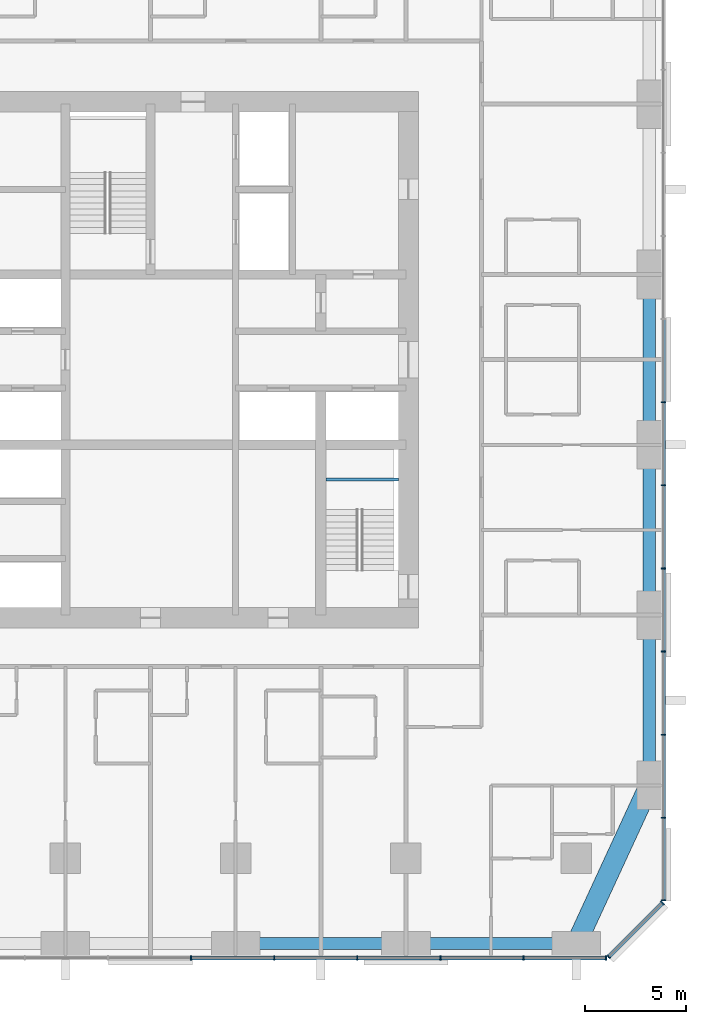
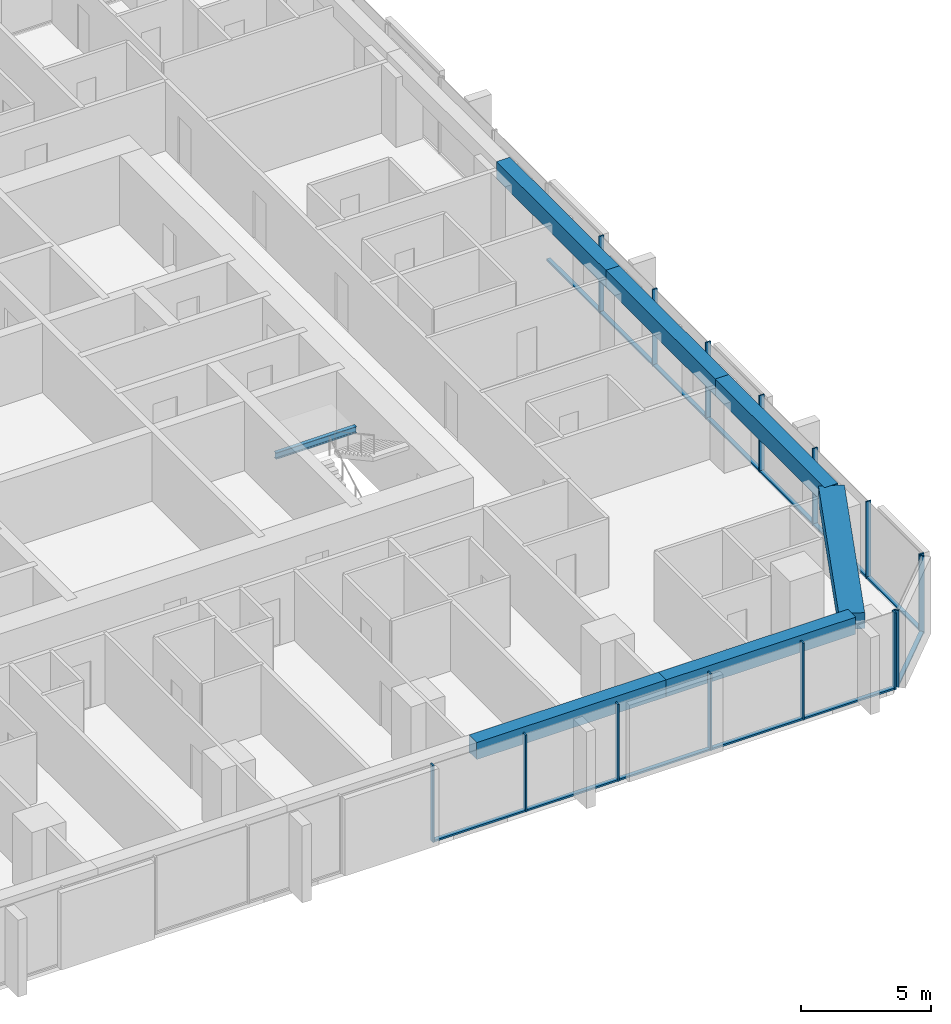
# One storey, part 4 of 14: 28 members, 7 beams, 3 elements without a shape of their own.
"""IFC4 building model written with IfcOpenShell, lengths in metres."""

from ifc_helpers import new_model, si_unit, direction, frame, origin, origin_2d, place, context, subcontext, project, spatial, rectangle, i_section, extrude, material, material_profile, profile_set, type_object, element, aggregate, save


model = new_model("IFC4")

# Units and contexts
model_context = context("Model", 3, precision=1e-05, world=origin(), true_north=direction((0.0, 1.0)))
body_context = subcontext(model_context, "Body", "Model", "MODEL_VIEW")
ifc_project = project(units=[si_unit("LENGTHUNIT", "METRE"), si_unit("AREAUNIT", "SQUARE_METRE"), si_unit("VOLUMEUNIT", "CUBIC_METRE"), si_unit("PLANEANGLEUNIT", "RADIAN"), si_unit("MASSUNIT", "GRAM", prefix="KILO")], contexts=[model_context])

# Site, building, storey
site_placement = place(None, origin())
site = spatial("IfcSite", under=ifc_project, at=site_placement, CompositionType="ELEMENT")
building_placement = place(site_placement, origin())
building = spatial("IfcBuilding", under=site, at=building_placement, Name="Dunama Terrace Hotel", CompositionType="ELEMENT")
storey_placement = place(building_placement, frame((0.0, 0.0, 140.39990234375)))
storey = spatial("IfcBuildingStorey", under=building, at=storey_placement, Name="L36", CompositionType="ELEMENT", Elevation=140.39990234375)

# Curtain wall, members
ifc_material_1 = material(Name="Aluminium curtain wall system", Category="aluminium")
curtain_wall_type = type_object("IfcCurtainWallType", Name="Unitised fritted glass wall CW-B", PredefinedType="NOTDEFINED", material=ifc_material_1)
curtain_wall_1_placement = place(storey_placement, origin())
curtain_wall_1 = element("IfcCurtainWall", 1, at=curtain_wall_1_placement, inside=storey, type_object=curtain_wall_type, Name="Unitised fritted glass wall CW-B L36", PredefinedType="NOTDEFINED")
ifc_material_2 = material(Name="Aluminium mullion", Category="aluminium")
ifc_material_profile_1 = material_profile(ifc_material_2, rectangle(XDim=0.06494140625, YDim=0.219970703125, at=origin_2d()), Name="CWB MULLION 65X220")
ifc_profile_set_1 = profile_set([ifc_material_profile_1], Name="Aluminium mullion")
member_type_1 = type_object("IfcMemberType", Name="CWB mullion 65x220", PredefinedType="MULLION", material=ifc_profile_set_1)
member_1_placement = place(storey_placement, frame((31.39990234375, -0.110107421875, 0.0), z_axis=(0.0, 0.0, 1.0), x_axis=(1.0, 0.0, 0.0)))
member_1 = element("IfcMember", 2, at=member_1_placement, type_object=member_type_1, Name="CWB mullion", PredefinedType="MULLION", context=body_context, shape_type="SweptSolid", body=[
    extrude(rectangle(XDim=0.06494140625, YDim=0.219970703125, at=origin_2d()), origin(), (0.0, 0.0, 1.0), 3.60009765625),
])
member_2_placement = place(storey_placement, frame((35.5, -0.110107421875, 0.0), z_axis=(0.0, 0.0, 1.0), x_axis=(1.0, 0.0, 0.0)))
member_2 = element("IfcMember", 3, at=member_2_placement, type_object=member_type_1, Name="CWB mullion", PredefinedType="MULLION", context=body_context, shape_type="SweptSolid", body=[
    extrude(rectangle(XDim=0.06494140625, YDim=0.219970703125, at=origin_2d()), origin(), (0.0, 0.0, 1.0), 3.60009765625),
])
member_3_placement = place(storey_placement, frame((39.60009765625, -0.110107421875, 0.0), z_axis=(0.0, 0.0, 1.0), x_axis=(1.0, 0.0, 0.0)))
member_3 = element("IfcMember", 4, at=member_3_placement, type_object=member_type_1, Name="CWB mullion", PredefinedType="MULLION", context=body_context, shape_type="SweptSolid", body=[
    extrude(rectangle(XDim=0.06494140625, YDim=0.219970703125, at=origin_2d()), origin(), (0.0, 0.0, 1.0), 3.60009765625),
])
member_4_placement = place(storey_placement, frame((43.699951171875, -0.110107421875, 0.0), z_axis=(0.0, 0.0, 1.0), x_axis=(1.0, 0.0, 0.0)))
member_4 = element("IfcMember", 5, at=member_4_placement, type_object=member_type_1, Name="CWB mullion", PredefinedType="MULLION", context=body_context, shape_type="SweptSolid", body=[
    extrude(rectangle(XDim=0.06494140625, YDim=0.219970703125, at=origin_2d()), origin(), (0.0, 0.0, 1.0), 3.60009765625),
])
member_5_placement = place(storey_placement, frame((47.800048828125, -0.110107421875, 0.0), z_axis=(0.0, 0.0, 1.0), x_axis=(1.0, 0.0, 0.0)))
member_5 = element("IfcMember", 6, at=member_5_placement, type_object=member_type_1, Name="CWB mullion", PredefinedType="MULLION", context=body_context, shape_type="SweptSolid", body=[
    extrude(rectangle(XDim=0.06494140625, YDim=0.219970703125, at=origin_2d()), origin(), (0.0, 0.0, 1.0), 3.60009765625),
])
member_6_placement = place(storey_placement, frame((51.866943359375, -0.110107421875, 0.0), z_axis=(0.0, 0.0, 1.0), x_axis=(1.0, 0.0, 0.0)))
member_6 = element("IfcMember", 7, at=member_6_placement, type_object=member_type_1, Name="CWB mullion", PredefinedType="MULLION", context=body_context, shape_type="SweptSolid", body=[
    extrude(rectangle(XDim=0.06494140625, YDim=0.219970703125, at=origin_2d()), origin(), (0.0, 0.0, 1.0), 3.60009765625),
])

curtain_wall_2_placement = place(storey_placement, origin())
curtain_wall_2 = element("IfcCurtainWall", 8, at=curtain_wall_2_placement, inside=storey, type_object=curtain_wall_type, Name="Unitised fritted glass wall CW-B L36", PredefinedType="NOTDEFINED")
member_7_placement = place(storey_placement, frame((52.0009765625, -0.054931640625, 0.0), z_axis=(0.0, 0.0, 1.0), x_axis=(0.707106781187, 0.707106781187, 0.0)))
member_7 = element("IfcMember", 9, at=member_7_placement, type_object=member_type_1, Name="CWB mullion", PredefinedType="MULLION", context=body_context, shape_type="SweptSolid", body=[
    extrude(rectangle(XDim=0.06494140625, YDim=0.219970703125, at=origin_2d()), origin(), (0.0, 0.0, 1.0), 3.60009765625),
])
member_8_placement = place(storey_placement, frame((54.655029296875, 2.59912109375, 0.0), z_axis=(0.0, 0.0, 1.0), x_axis=(0.707106781187, 0.707106781187, 0.0)))
member_8 = element("IfcMember", 10, at=member_8_placement, type_object=member_type_1, Name="CWB mullion", PredefinedType="MULLION", context=body_context, shape_type="SweptSolid", body=[
    extrude(rectangle(XDim=0.06494140625, YDim=0.219970703125, at=origin_2d()), origin(), (0.0, 0.0, 1.0), 3.60009765625),
])

curtain_wall_3_placement = place(storey_placement, origin())
curtain_wall_3 = element("IfcCurtainWall", 11, at=curtain_wall_3_placement, inside=storey, type_object=curtain_wall_type, Name="Unitised fritted glass wall CW-B L36", PredefinedType="NOTDEFINED")
member_9_placement = place(storey_placement, frame((54.7099609375, 2.73291015625, 0.0), z_axis=(0.0, 0.0, 1.0), x_axis=(0.0, 1.0, 0.0)))
member_9 = element("IfcMember", 12, at=member_9_placement, type_object=member_type_1, Name="CWB mullion", PredefinedType="MULLION", context=body_context, shape_type="SweptSolid", body=[
    extrude(rectangle(XDim=0.06494140625, YDim=0.219970703125, at=origin_2d()), origin(), (0.0, 0.0, 1.0), 3.60009765625),
])
member_10_placement = place(storey_placement, frame((54.7099609375, 6.800048828125, 0.0), z_axis=(0.0, 0.0, 1.0), x_axis=(0.0, 1.0, 0.0)))
member_10 = element("IfcMember", 13, at=member_10_placement, type_object=member_type_1, Name="CWB mullion", PredefinedType="MULLION", context=body_context, shape_type="SweptSolid", body=[
    extrude(rectangle(XDim=0.06494140625, YDim=0.219970703125, at=origin_2d()), origin(), (0.0, 0.0, 1.0), 3.60009765625),
])
member_11_placement = place(storey_placement, frame((54.7099609375, 10.89990234375, 0.0), z_axis=(0.0, 0.0, 1.0), x_axis=(0.0, 1.0, 0.0)))
member_11 = element("IfcMember", 14, at=member_11_placement, type_object=member_type_1, Name="CWB mullion", PredefinedType="MULLION", context=body_context, shape_type="SweptSolid", body=[
    extrude(rectangle(XDim=0.06494140625, YDim=0.219970703125, at=origin_2d()), origin(), (0.0, 0.0, 1.0), 3.60009765625),
])
member_12_placement = place(storey_placement, frame((54.7099609375, 15.0, 0.0), z_axis=(0.0, 0.0, 1.0), x_axis=(0.0, 1.0, 0.0)))
member_12 = element("IfcMember", 15, at=member_12_placement, type_object=member_type_1, Name="CWB mullion", PredefinedType="MULLION", context=body_context, shape_type="SweptSolid", body=[
    extrude(rectangle(XDim=0.06494140625, YDim=0.219970703125, at=origin_2d()), origin(), (0.0, 0.0, 1.0), 3.60009765625),
])
member_13_placement = place(storey_placement, frame((54.7099609375, 19.10009765625, 0.0), z_axis=(0.0, 0.0, 1.0), x_axis=(0.0, 1.0, 0.0)))
member_13 = element("IfcMember", 16, at=member_13_placement, type_object=member_type_1, Name="CWB mullion", PredefinedType="MULLION", context=body_context, shape_type="SweptSolid", body=[
    extrude(rectangle(XDim=0.06494140625, YDim=0.219970703125, at=origin_2d()), origin(), (0.0, 0.0, 1.0), 3.60009765625),
])
member_14_placement = place(storey_placement, frame((54.7099609375, 23.199951171875, 0.0), z_axis=(0.0, 0.0, 1.0), x_axis=(0.0, 1.0, 0.0)))
member_14 = element("IfcMember", 17, at=member_14_placement, type_object=member_type_1, Name="CWB mullion", PredefinedType="MULLION", context=body_context, shape_type="SweptSolid", body=[
    extrude(rectangle(XDim=0.06494140625, YDim=0.219970703125, at=origin_2d()), origin(), (0.0, 0.0, 1.0), 3.60009765625),
])
member_15_placement = place(storey_placement, frame((54.7099609375, 27.300048828125, 0.0), z_axis=(0.0, 0.0, 1.0), x_axis=(0.0, 1.0, 0.0)))
member_15 = element("IfcMember", 18, at=member_15_placement, type_object=member_type_1, Name="CWB mullion", PredefinedType="MULLION", context=body_context, shape_type="SweptSolid", body=[
    extrude(rectangle(XDim=0.06494140625, YDim=0.219970703125, at=origin_2d()), origin(), (0.0, 0.0, 1.0), 3.60009765625),
])

# Member
ifc_material_3 = material(Name="Aluminium transom", Category="aluminium")
ifc_material_profile_2 = material_profile(ifc_material_3, rectangle(XDim=0.179931640625, YDim=0.080078125, at=origin_2d()), Name="CWB TRANSOM 180X80")
ifc_profile_set_2 = profile_set([ifc_material_profile_2], Name="Aluminium transom")
member_type_2 = type_object("IfcMemberType", Name="CWB transom 180x80", PredefinedType="USERDEFINED", material=ifc_profile_set_2)
member_16_placement = place(storey_placement, frame((31.431884765625, -0.110107421875, 0.0400390625), z_axis=(1.0, 0.0, 0.0), x_axis=(0.0, 1.0, 0.0)))
member_16 = element("IfcMember", 19, at=member_16_placement, type_object=member_type_2, Name="CWB transom", ObjectType="TRANSOM", PredefinedType="USERDEFINED", context=body_context, shape_type="SweptSolid", body=[
    extrude(rectangle(XDim=0.179931640625, YDim=0.080078125, at=origin_2d()), origin(), (0.0, 0.0, 1.0), 4.0361328125),
])

member_17_placement = place(storey_placement, frame((35.531982421875, -0.110107421875, 0.0400390625), z_axis=(1.0, 0.0, 0.0), x_axis=(0.0, 1.0, 0.0)))
member_17 = element("IfcMember", 20, at=member_17_placement, type_object=member_type_2, Name="CWB transom", ObjectType="TRANSOM", PredefinedType="USERDEFINED", context=body_context, shape_type="SweptSolid", body=[
    extrude(rectangle(XDim=0.179931640625, YDim=0.080078125, at=origin_2d()), origin(), (0.0, 0.0, 1.0), 4.0361328125),
])

member_18_placement = place(storey_placement, frame((39.633056640625, -0.110107421875, 0.0400390625), z_axis=(1.0, 0.0, 0.0), x_axis=(0.0, 1.0, 0.0)))
member_18 = element("IfcMember", 21, at=member_18_placement, type_object=member_type_2, Name="CWB transom", ObjectType="TRANSOM", PredefinedType="USERDEFINED", context=body_context, shape_type="SweptSolid", body=[
    extrude(rectangle(XDim=0.179931640625, YDim=0.080078125, at=origin_2d()), origin(), (0.0, 0.0, 1.0), 4.034912109375),
])

member_19_placement = place(storey_placement, frame((43.73291015625, -0.110107421875, 0.0400390625), z_axis=(1.0, 0.0, 0.0), x_axis=(0.0, 1.0, 0.0)))
member_19 = element("IfcMember", 22, at=member_19_placement, type_object=member_type_2, Name="CWB transom", ObjectType="TRANSOM", PredefinedType="USERDEFINED", context=body_context, shape_type="SweptSolid", body=[
    extrude(rectangle(XDim=0.179931640625, YDim=0.080078125, at=origin_2d()), origin(), (0.0, 0.0, 1.0), 4.0341796875),
])

member_20_placement = place(storey_placement, frame((47.83203125, -0.110107421875, 0.0400390625), z_axis=(1.0, 0.0, 0.0), x_axis=(0.0, 1.0, 0.0)))
member_20 = element("IfcMember", 23, at=member_20_placement, type_object=member_type_2, Name="CWB transom", ObjectType="TRANSOM", PredefinedType="USERDEFINED", context=body_context, shape_type="SweptSolid", body=[
    extrude(rectangle(XDim=0.179931640625, YDim=0.080078125, at=origin_2d()), origin(), (0.0, 0.0, 1.0), 4.0029296875),
])

aggregate(curtain_wall_1, [member_1, member_2, member_3, member_4, member_5, member_6, member_16, member_17, member_18, member_19, member_20])

member_21_placement = place(storey_placement, frame((52.02392578125, -0.031982421875, 0.0400390625), z_axis=(0.707139876915, 0.707073683909, 0.0), x_axis=(-0.707073683909, 0.707139876915, 0.0)))
member_21 = element("IfcMember", 24, at=member_21_placement, type_object=member_type_2, Name="CWB transom", ObjectType="TRANSOM", PredefinedType="USERDEFINED", context=body_context, shape_type="SweptSolid", body=[
    extrude(rectangle(XDim=0.179931640625, YDim=0.080078125, at=origin_2d()), origin(), (0.0, 0.0, 1.0), 3.688232421875),
])

aggregate(curtain_wall_2, [member_7, member_8, member_21])

member_22_placement = place(storey_placement, frame((54.7099609375, 2.764892578125, 0.0400390625), z_axis=(0.0, 1.0, 0.0), x_axis=(-1.0, 0.0, 0.0)))
member_22 = element("IfcMember", 25, at=member_22_placement, type_object=member_type_2, Name="CWB transom", ObjectType="TRANSOM", PredefinedType="USERDEFINED", context=body_context, shape_type="SweptSolid", body=[
    extrude(rectangle(XDim=0.179931640625, YDim=0.080078125, at=origin_2d()), origin(), (0.0, 0.0, 1.0), 4.003173828125),
])

member_23_placement = place(storey_placement, frame((54.7099609375, 6.83203125, 0.0400390625), z_axis=(0.0, 1.0, 0.0), x_axis=(-1.0, 0.0, 0.0)))
member_23 = element("IfcMember", 26, at=member_23_placement, type_object=member_type_2, Name="CWB transom", ObjectType="TRANSOM", PredefinedType="USERDEFINED", context=body_context, shape_type="SweptSolid", body=[
    extrude(rectangle(XDim=0.179931640625, YDim=0.080078125, at=origin_2d()), origin(), (0.0, 0.0, 1.0), 4.034912109375),
])

member_24_placement = place(storey_placement, frame((54.7099609375, 10.93310546875, 0.0400390625), z_axis=(0.0, 1.0, 0.0), x_axis=(-1.0, 0.0, 0.0)))
member_24 = element("IfcMember", 27, at=member_24_placement, type_object=member_type_2, Name="CWB transom", ObjectType="TRANSOM", PredefinedType="USERDEFINED", context=body_context, shape_type="SweptSolid", body=[
    extrude(rectangle(XDim=0.179931640625, YDim=0.080078125, at=origin_2d()), origin(), (0.0, 0.0, 1.0), 4.033935546875),
])

member_25_placement = place(storey_placement, frame((54.7099609375, 15.031982421875, 0.0400390625), z_axis=(0.0, 1.0, 0.0), x_axis=(-1.0, 0.0, 0.0)))
member_25 = element("IfcMember", 28, at=member_25_placement, type_object=member_type_2, Name="CWB transom", ObjectType="TRANSOM", PredefinedType="USERDEFINED", context=body_context, shape_type="SweptSolid", body=[
    extrude(rectangle(XDim=0.179931640625, YDim=0.080078125, at=origin_2d()), origin(), (0.0, 0.0, 1.0), 4.034912109375),
])

member_26_placement = place(storey_placement, frame((54.7099609375, 19.132080078125, 0.0400390625), z_axis=(0.0, 1.0, 0.0), x_axis=(-1.0, 0.0, 0.0)))
member_26 = element("IfcMember", 29, at=member_26_placement, type_object=member_type_2, Name="CWB transom", ObjectType="TRANSOM", PredefinedType="USERDEFINED", context=body_context, shape_type="SweptSolid", body=[
    extrude(rectangle(XDim=0.179931640625, YDim=0.080078125, at=origin_2d()), origin(), (0.0, 0.0, 1.0), 4.035888671875),
])

member_27_placement = place(storey_placement, frame((54.7099609375, 23.23193359375, 0.0400390625), z_axis=(0.0, 1.0, 0.0), x_axis=(-1.0, 0.0, 0.0)))
member_27 = element("IfcMember", 30, at=member_27_placement, type_object=member_type_2, Name="CWB transom", ObjectType="TRANSOM", PredefinedType="USERDEFINED", context=body_context, shape_type="SweptSolid", body=[
    extrude(rectangle(XDim=0.179931640625, YDim=0.080078125, at=origin_2d()), origin(), (0.0, 0.0, 1.0), 4.03515625),
])

member_28_placement = place(storey_placement, frame((54.7099609375, 27.33203125, 0.0400390625), z_axis=(0.0, 1.0, 0.0), x_axis=(-1.0, 0.0, 0.0)))
member_28 = element("IfcMember", 31, at=member_28_placement, type_object=member_type_2, Name="CWB transom", ObjectType="TRANSOM", PredefinedType="USERDEFINED", context=body_context, shape_type="SweptSolid", body=[
    extrude(rectangle(XDim=0.179931640625, YDim=0.080078125, at=origin_2d()), origin(), (0.0, 0.0, 1.0), 4.034912109375),
])

aggregate(curtain_wall_3, [member_9, member_10, member_11, member_12, member_13, member_14, member_15, member_22, member_23, member_24, member_25, member_26, member_27, member_28])

# Beams
ifc_material_4 = material(Name="Concrete C50/60", Category="concrete")
ifc_material_profile_3 = material_profile(ifc_material_4, rectangle(XDim=1.0, YDim=0.75, at=origin_2d()), Name="RC 1000x750")
ifc_profile_set_3 = profile_set([ifc_material_profile_3], Name="Concrete C50/60")
beam_type_1 = type_object("IfcBeamType", Name="Edge beam RC 1000x750", PredefinedType="SPANDREL", material=ifc_profile_set_3)
beam_1_placement = place(storey_placement, frame((50.39990234375, 0.60009765625, 3.22509765625), z_axis=(0.419076199598, 0.907951066374, 0.0), x_axis=(-0.907951066374, 0.419076199598, 0.0)))
element("IfcBeam", 32, at=beam_1_placement, inside=storey, type_object=beam_type_1, Name="Corner edge beam under L37", PredefinedType="SPANDREL", context=body_context, shape_type="SweptSolid", body=[
    extrude(rectangle(XDim=1.0, YDim=0.75, at=origin_2d()), origin(), (0.0, 0.0, 1.0), 8.590576171875),
])
ifc_material_5 = material(Name="Concrete C40/50", Category="concrete")
ifc_material_profile_4 = material_profile(ifc_material_5, rectangle(XDim=0.60009765625, YDim=0.800048828125, at=origin_2d()), Name="RC 600x800")
ifc_profile_set_4 = profile_set([ifc_material_profile_4], Name="Concrete C40/50")
beam_type_2 = type_object("IfcBeamType", Name="Edge beam RC 600x800", PredefinedType="SPANDREL", material=ifc_profile_set_4)
beam_2_placement = place(storey_placement, frame((54.0, 8.39990234375, 3.2001953125), z_axis=(0.0, 1.0, 0.0), x_axis=(-1.0, 0.0, 0.0)))
element("IfcBeam", 33, at=beam_2_placement, inside=storey, type_object=beam_type_2, Name="Edge beam under L37", PredefinedType="SPANDREL", context=body_context, shape_type="SweptSolid", body=[
    extrude(rectangle(XDim=0.60009765625, YDim=0.800048828125, at=origin_2d()), origin(), (0.0, 0.0, 1.0), 8.400146484375),
])
beam_3_placement = place(storey_placement, frame((54.0, 16.800048828125, 3.2001953125), z_axis=(0.0, 1.0, 0.0), x_axis=(-1.0, 0.0, 0.0)))
element("IfcBeam", 34, at=beam_3_placement, inside=storey, type_object=beam_type_2, Name="Edge beam under L37", PredefinedType="SPANDREL", context=body_context, shape_type="SweptSolid", body=[
    extrude(rectangle(XDim=0.60009765625, YDim=0.800048828125, at=origin_2d()), origin(), (0.0, 0.0, 1.0), 8.39990234375),
])
beam_4_placement = place(storey_placement, frame((54.0, 25.199951171875, 3.2001953125), z_axis=(0.0, 1.0, 0.0), x_axis=(-1.0, 0.0, 0.0)))
element("IfcBeam", 35, at=beam_4_placement, inside=storey, type_object=beam_type_2, Name="Edge beam under L37", PredefinedType="SPANDREL", context=body_context, shape_type="SweptSolid", body=[
    extrude(rectangle(XDim=0.60009765625, YDim=0.800048828125, at=origin_2d()), origin(), (0.0, 0.0, 1.0), 8.400146484375),
])
for number, where, z_axis, x_axis, name in (
    (36, (33.60009765625, 0.60009765625, 3.2001953125), (1.0, 0.0, 0.0), (0.0, 1.0, 0.0), "Edge beam under L37"),
    (37, (42.0, 0.60009765625, 3.2001953125), (1.0, 0.0, 0.0), (0.0, 1.0, 0.0), "Edge beam under L37"),
):
    element("IfcBeam", number, at=place(storey_placement, frame(where, z_axis=z_axis, x_axis=x_axis)), inside=storey, type_object=beam_type_2, Name=name, PredefinedType="SPANDREL", context=body_context, shape_type="SweptSolid", body=[
        extrude(rectangle(XDim=0.60009765625, YDim=0.800048828125, at=origin_2d()), origin(), (0.0, 0.0, 1.0), 8.39990234375),
    ])
ifc_material_6 = material(Name="Steel S355", Category="steel")
ifc_material_profile_5 = material_profile(ifc_material_6, i_section(OverallWidth=0.1650390625, OverallDepth=0.303466796875, WebThickness=0.006103515625, FlangeThickness=0.01025390625, FilletRadius=0.0087890625, at=origin_2d()), Name="UB 305x165x40")
ifc_profile_set_5 = profile_set([ifc_material_profile_5], Name="Steel S355")
beam_type_3 = type_object("IfcBeamType", Name="Stair beam UB 305x165x40", PredefinedType="BEAM", material=ifc_profile_set_5)
beam_5_placement = place(storey_placement, frame((38.050048828125, 23.487548828125, 1.448486328125), z_axis=(1.0, 0.0, 0.0), x_axis=(0.0, 1.0, 0.0)))
element("IfcBeam", 38, at=beam_5_placement, inside=storey, type_object=beam_type_3, Name="Stair landing beam ST2 L36", PredefinedType="BEAM", context=body_context, shape_type="SweptSolid", body=[
    extrude(i_section(OverallWidth=0.1650390625, OverallDepth=0.303466796875, WebThickness=0.006103515625, FlangeThickness=0.01025390625, FilletRadius=0.0087890625, at=origin_2d()), origin(), (0.0, 0.0, 1.0), 3.574951171875),
])

save(model, "model.ifc")
